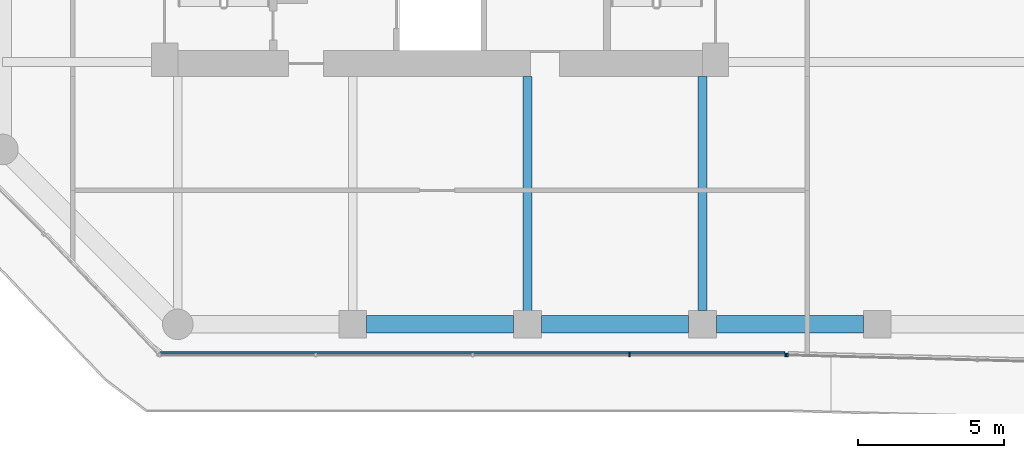
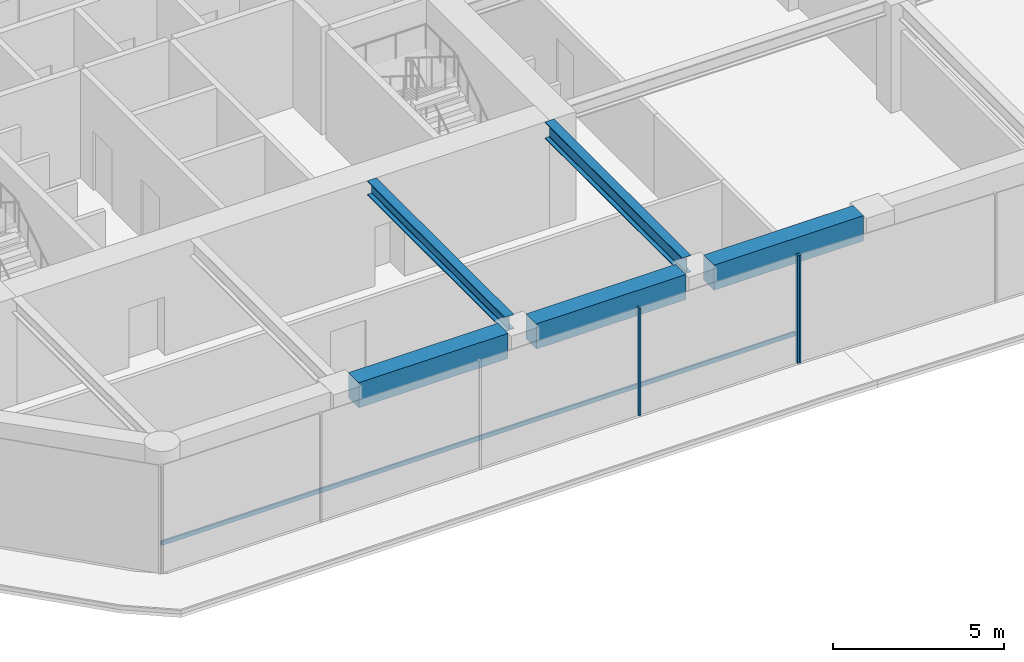
# One storey, part 3 of 28: 5 beams, 4 members, 2 elements without a shape of their own.
"""IFC4 building model written with IfcOpenShell, lengths in metres."""

from ifc_helpers import new_model, si_unit, direction, frame, origin, origin_2d, place, context, subcontext, project, spatial, rectangle, i_section, extrude, material, layer, layer_set, material_profile, profile_set, type_object, element, aggregate, save


model = new_model("IFC4")

# Units and contexts
model_context = context("Model", 3, precision=1e-05, world=origin(), true_north=direction((0.0, 1.0)))
body_context = subcontext(model_context, "Body", "Model", "MODEL_VIEW")
ifc_project = project(units=[si_unit("LENGTHUNIT", "METRE"), si_unit("AREAUNIT", "SQUARE_METRE"), si_unit("VOLUMEUNIT", "CUBIC_METRE"), si_unit("PLANEANGLEUNIT", "RADIAN"), si_unit("MASSUNIT", "GRAM", prefix="KILO")], contexts=[model_context])

# Site, building, storey
site_placement = place(None, origin())
site = spatial("IfcSite", under=ifc_project, at=site_placement, CompositionType="ELEMENT")
building_placement = place(site_placement, origin())
building = spatial("IfcBuilding", under=site, at=building_placement, Name="Welwitschia Terrace Campus", CompositionType="ELEMENT")
storey_placement = place(building_placement, frame((0.0, 0.0, 45.800048828125)))
storey = spatial("IfcBuildingStorey", under=building, at=storey_placement, Name="L10", CompositionType="ELEMENT", Elevation=45.800048828125)

# Beam
ifc_material_1 = material(Name="Steel S355", Category="steel")
ifc_material_profile_1 = material_profile(ifc_material_1, i_section(OverallWidth=0.305908203125, OverallDepth=0.52392578125, WebThickness=0.02099609375, FlangeThickness=0.0400390625, FilletRadius=0.027099609375, at=origin_2d()))
ifc_profile_set_1 = profile_set([ifc_material_profile_1], Name="Steel S355")
beam_type_1 = type_object("IfcBeamType", Name="Interior girder HE 500 M", PredefinedType="BEAM", material=ifc_profile_set_1)
beam_1_placement = place(storey_placement, frame((18.0, -3.534423828125, 3.587890625), z_axis=(0.0, 1.0, 0.0), x_axis=(-1.0, 0.0, 0.0)))
element("IfcBeam", 1, at=beam_1_placement, inside=storey, type_object=beam_type_1, Name="Girder GB2", PredefinedType="BEAM", context=body_context, shape_type="SweptSolid", body=[
    extrude(i_section(OverallWidth=0.305908203125, OverallDepth=0.52392578125, WebThickness=0.02099609375, FlangeThickness=0.0400390625, FilletRadius=0.027099609375, at=origin_2d()), origin(), (0.0, 0.0, 1.0), 8.033447265625),
])

# Curtain wall, members
ifc_material_2 = material(Name="Bronze anodised aluminium", Category="aluminium")
ifc_layer = layer(ifc_material_2, 0.1201171875)
ifc_layer_set = layer_set([ifc_layer], Name="Bronze anodised aluminium")
curtain_wall_type = type_object("IfcCurtainWallType", Name="Curtain wall CW2 tower 6000", PredefinedType="NOTDEFINED", material=ifc_layer_set)
curtain_wall_1_placement = place(storey_placement, origin())
curtain_wall_1 = element("IfcCurtainWall", 2, at=curtain_wall_1_placement, inside=storey, type_object=curtain_wall_type, Name="CW L10.1.0", PredefinedType="NOTDEFINED")
ifc_material_3 = material(Name="Bronze anodised aluminium", Category="aluminium")
ifc_material_profile_2 = material_profile(ifc_material_3, rectangle(XDim=0.1201171875, YDim=0.06005859375, at=origin_2d()))
ifc_profile_set_2 = profile_set([ifc_material_profile_2], Name="Bronze anodised aluminium")
member_type_1 = type_object("IfcMemberType", Name="Mullion 60x120", PredefinedType="MULLION", material=ifc_profile_set_2)
member_1_placement = place(storey_placement, frame((21.500732421875, -5.05810546875, 0.0), z_axis=(0.0, 0.0, 1.0), x_axis=(0.0, 1.0, 0.0)))
member_1 = element("IfcMember", 3, at=member_1_placement, type_object=member_type_1, Name="Mullion L10.1.0.3", PredefinedType="MULLION", context=body_context, shape_type="SweptSolid", body=[
    extrude(rectangle(XDim=0.1201171875, YDim=0.06005859375, at=origin_2d()), origin(), (0.0, 0.0, 1.0), 3.849853515625),
])
member_2_placement = place(storey_placement, frame((26.8544921875, -5.05810546875, 0.0), z_axis=(0.0, 0.0, 1.0), x_axis=(0.0, 1.0, 0.0)))
member_2 = element("IfcMember", 4, at=member_2_placement, type_object=member_type_1, Name="Mullion L10.1.0.4", PredefinedType="MULLION", context=body_context, shape_type="SweptSolid", body=[
    extrude(rectangle(XDim=0.1201171875, YDim=0.06005859375, at=origin_2d()), origin(), (0.0, 0.0, 1.0), 3.849853515625),
])

# Curtain wall, member
curtain_wall_2_placement = place(storey_placement, origin())
curtain_wall_2 = element("IfcCurtainWall", 5, at=curtain_wall_2_placement, inside=storey, type_object=curtain_wall_type, Name="CW L10.2.0", PredefinedType="NOTDEFINED")
member_3_placement = place(storey_placement, frame((26.914306640625, -5.058837890625, 0.0), z_axis=(0.0, 0.0, 1.0), x_axis=(0.026176948308, 0.999657324976, 0.0)))
member_3 = element("IfcMember", 6, at=member_3_placement, type_object=member_type_1, Name="Mullion L10.2.0.0", PredefinedType="MULLION", context=body_context, shape_type="SweptSolid", body=[
    extrude(rectangle(XDim=0.1201171875, YDim=0.06005859375, at=origin_2d()), origin(), (0.0, 0.0, 1.0), 3.849853515625),
])
aggregate(curtain_wall_2, [member_3])

# Beams
ifc_material_4 = material(Name="Steel S355", Category="steel")
ifc_material_profile_3 = material_profile(ifc_material_4, i_section(OverallWidth=0.300048828125, OverallDepth=0.60009765625, WebThickness=0.015380859375, FlangeThickness=0.030029296875, FilletRadius=0.027099609375, at=origin_2d()))
ifc_profile_set_3 = profile_set([ifc_material_profile_3], Name="Steel S355")
beam_type_2 = type_object("IfcBeamType", Name="Primary beam HE 600 B", PredefinedType="BEAM", material=ifc_profile_set_3)
beam_2_placement = place(storey_placement, frame((24.0, -3.5244140625, 3.550048828125), z_axis=(0.0, 1.0, 0.0), x_axis=(-1.0, 0.0, 0.0)))
element("IfcBeam", 7, at=beam_2_placement, inside=storey, type_object=beam_type_2, Name="Primary beam PB2", PredefinedType="BEAM", context=body_context, shape_type="SweptSolid", body=[
    extrude(i_section(OverallWidth=0.300048828125, OverallDepth=0.60009765625, WebThickness=0.015380859375, FlangeThickness=0.030029296875, FilletRadius=0.027099609375, at=origin_2d()), origin(), (0.0, 0.0, 1.0), 8.0244140625),
])
ifc_material_5 = material(Name="Concrete C60/75", Category="concrete")
ifc_material_profile_4 = material_profile(ifc_material_5, rectangle(XDim=0.60009765625, YDim=0.89990234375, at=origin_2d()))
ifc_profile_set_4 = profile_set([ifc_material_profile_4], Name="Concrete C60/75")
beam_type_3 = type_object("IfcBeamType", Name="Ring spandrel 600x900", PredefinedType="SPANDREL", material=ifc_profile_set_4)
for number, where, z_axis, x_axis, name in (
    (8, (12.4755859375, -4.0, 3.39990234375), (1.0, 0.0, 0.0), (0.0, 1.0, 0.0), "Spandrel SP2"),
    (9, (18.4755859375, -4.0, 3.39990234375), (1.0, 0.0, 0.0), (0.0, 1.0, 0.0), "Spandrel SP2"),
    (10, (24.4755859375, -4.0, 3.39990234375), (1.0, 0.0, 0.0), (0.0, 1.0, 0.0), "Spandrel SP2"),
):
    element("IfcBeam", number, at=place(storey_placement, frame(where, z_axis=z_axis, x_axis=x_axis)), inside=storey, type_object=beam_type_3, Name=name, PredefinedType="SPANDREL", context=body_context, shape_type="SweptSolid", body=[
        extrude(rectangle(XDim=0.60009765625, YDim=0.89990234375, at=origin_2d()), origin(), (0.0, 0.0, 1.0), 5.048828125),
    ])

# Member
ifc_material_6 = material(Name="Bronze anodised aluminium", Category="aluminium")
ifc_material_profile_5 = material_profile(ifc_material_6, rectangle(XDim=0.06005859375, YDim=0.14990234375, at=origin_2d()))
ifc_profile_set_5 = profile_set([ifc_material_profile_5], Name="Bronze anodised aluminium")
member_type_2 = type_object("IfcMemberType", Name="Transom 60x150", PredefinedType="USERDEFINED", material=ifc_profile_set_5)
member_4_placement = place(storey_placement, frame((5.409912109375, -4.968017578125, 1.0), z_axis=(1.0, 0.0, 0.0), x_axis=(0.0, 1.0, 0.0)))
member_4 = element("IfcMember", 11, at=member_4_placement, type_object=member_type_2, Name="Transom L10.1.0", ObjectType="TRANSOM", PredefinedType="USERDEFINED", context=body_context, shape_type="SweptSolid", body=[
    extrude(rectangle(XDim=0.06005859375, YDim=0.14990234375, at=origin_2d()), origin(), (0.0, 0.0, 1.0), 21.41455078125),
])

aggregate(curtain_wall_1, [member_1, member_2, member_4])

save(model, "model.ifc")
